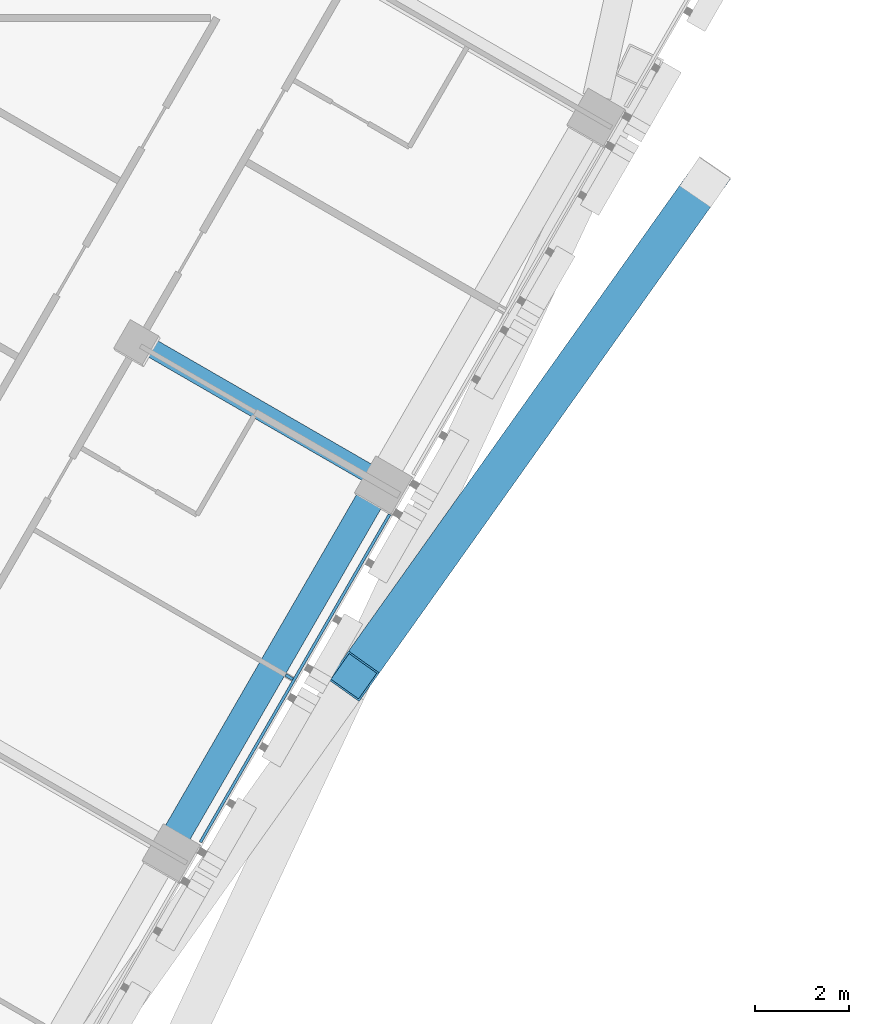
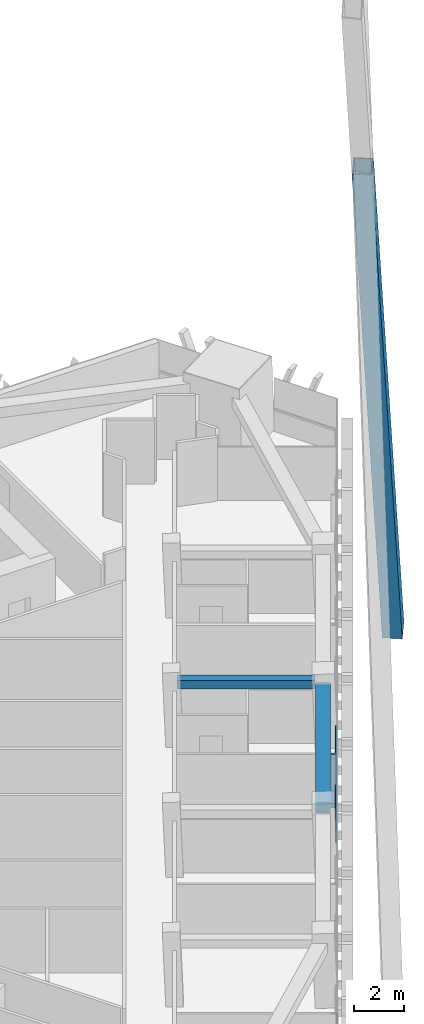
# One storey, part 9 of 23: 3 members, 2 beams, 1 element without a shape of its own.
"""IFC4 building model written with IfcOpenShell, lengths in metres."""

from ifc_helpers import new_model, si_unit, direction, frame, origin, origin_2d, place, context, subcontext, project, spatial, rectangle, hollow_rectangle, extrude, material, layer, layer_set, material_profile, profile_set, type_object, element, aggregate, save


model = new_model("IFC4")

# Units and contexts
model_context = context("Model", 3, precision=1e-05, world=origin(), true_north=direction((0.0, 1.0)))
body_context = subcontext(model_context, "Body", "Model", "MODEL_VIEW")
ifc_project = project(units=[si_unit("LENGTHUNIT", "METRE"), si_unit("AREAUNIT", "SQUARE_METRE"), si_unit("VOLUMEUNIT", "CUBIC_METRE"), si_unit("PLANEANGLEUNIT", "RADIAN"), si_unit("MASSUNIT", "GRAM", prefix="KILO")], contexts=[model_context])

# Site, building, storey
site_placement = place(None, origin())
site = spatial("IfcSite", under=ifc_project, at=site_placement, CompositionType="ELEMENT")
building_placement = place(site_placement, origin())
building = spatial("IfcBuilding", under=site, at=building_placement, Name="Altiplano Prism Tower", CompositionType="ELEMENT")
storey_placement = place(building_placement, frame((0.0, 0.0, 100.800048828125)))
storey = spatial("IfcBuildingStorey", under=building, at=storey_placement, Name="L25", CompositionType="ELEMENT", Elevation=100.800048828125)

# Curtain wall, members
ifc_material_1 = material(Name="Aluminium and glass", Category="aluminium")
ifc_layer = layer(ifc_material_1, 0.280029296875)
ifc_layer_set = layer_set([ifc_layer], Name="Aluminium and glass")
curtain_wall_type = type_object("IfcCurtainWallType", Name="CW1 typical co-living unitised curtain wall", PredefinedType="NOTDEFINED", material=ifc_layer_set)
curtain_wall_placement = place(storey_placement, origin())
curtain_wall = element("IfcCurtainWall", 1, at=curtain_wall_placement, inside=storey, type_object=curtain_wall_type, Name="CW1 curtain wall south-east face L25", PredefinedType="NOTDEFINED")
ifc_material_2 = material(Name="Aluminium", Category="aluminium")
ifc_material_profile_1 = material_profile(ifc_material_2, rectangle(XDim=0.179931640625, YDim=0.06494140625, at=origin_2d()), Name="CW1 mullion 65 x 180")
ifc_profile_set_1 = profile_set([ifc_material_profile_1], Name="Aluminium")
member_type_1 = type_object("IfcMemberType", Name="CW1 mullion 65 x 180", PredefinedType="MULLION", material=ifc_profile_set_1)
member_1_placement = place(storey_placement, frame((101.382080078125, 76.435302734375, 0.0), z_axis=(0.0, 0.0, 1.0), x_axis=(-0.866025402825, 0.500000001663, 0.0)))
member_1 = element("IfcMember", 2, at=member_1_placement, type_object=member_type_1, Name="CW1 mullion", PredefinedType="MULLION", context=body_context, shape_type="SweptSolid", body=[
    extrude(rectangle(XDim=0.179931640625, YDim=0.06494140625, at=origin_2d()), origin(), (0.0, 0.0, 1.0), 2.599853515625),
])
ifc_material_profile_2 = material_profile(ifc_material_2, rectangle(XDim=0.06005859375, YDim=0.080078125, at=origin_2d()), Name="CW1 transom 80 x 60")
ifc_profile_set_2 = profile_set([ifc_material_profile_2], Name="Aluminium")
member_type_2 = type_object("IfcMemberType", Name="CW1 transom 80 x 60", PredefinedType="USERDEFINED", material=ifc_profile_set_2)
member_2_placement = place(storey_placement, frame((99.5009765625, 72.9365234375, 1.099853515625), z_axis=(0.499972775009, 0.86604112157, 0.0), x_axis=(-0.86604112157, 0.499972775009, 0.0)))
member_2 = element("IfcMember", 3, at=member_2_placement, type_object=member_type_2, Name="CW1 transom", ObjectType="TRANSOM", PredefinedType="USERDEFINED", context=body_context, shape_type="SweptSolid", body=[
    extrude(rectangle(XDim=0.06005859375, YDim=0.080078125, at=origin_2d()), origin(), (0.0, 0.0, 1.0), 8.0205078125),
])
aggregate(curtain_wall, [member_1, member_2])

# Beam
ifc_material_3 = material(Name="Concrete C60/75", Category="concrete")
ifc_material_profile_3 = material_profile(ifc_material_3, rectangle(XDim=0.60009765625, YDim=0.5, at=origin_2d()), Name="Edge beam 600x500")
ifc_profile_set_3 = profile_set([ifc_material_profile_3], Name="Concrete C60/75")
beam_type_1 = type_object("IfcBeamType", Name="Edge beam 600x500", PredefinedType="SPANDREL", material=ifc_profile_set_3)
beam_1_placement = place(storey_placement, frame((98.991943359375, 73.092529296875, 2.849853515625), z_axis=(0.500014701701, 0.866016915587, 0.0), x_axis=(-0.866016915587, 0.500014701701, 0.0)))
element("IfcBeam", 4, at=beam_1_placement, inside=storey, type_object=beam_type_1, Name="Edge beam P22-P23 L26", PredefinedType="SPANDREL", context=body_context, shape_type="SweptSolid", body=[
    extrude(rectangle(XDim=0.60009765625, YDim=0.5, at=origin_2d()), origin(), (0.0, 0.0, 1.0), 8.340087890625),
])

# Member
ifc_material_4 = material(Name="Steel S355", Category="steel")
ifc_material_profile_4 = material_profile(ifc_material_4, hollow_rectangle(XDim=0.800048828125, YDim=0.800048828125, WallThickness=0.0400390625, at=origin_2d()), Name="Mega brace Box 800x800x40")
ifc_profile_set_4 = profile_set([ifc_material_profile_4], Name="Steel S355")
member_type_3 = type_object("IfcMemberType", Name="Mega brace Box 800x800x40", PredefinedType="BRACE", material=ifc_profile_set_4)
member_3_placement = place(storey_placement, frame((110.193359375, 86.919189453125, -0.81298828125), z_axis=(-0.218817847434, -0.307790897182, 0.925950059807), x_axis=(0.815024951692, -0.579425860762, 0.0)))
element("IfcMember", 5, at=member_3_placement, inside=storey, type_object=member_type_3, Name="Mega brace 3.2.3", PredefinedType="BRACE", context=body_context, shape_type="SweptSolid", body=[
    extrude(hollow_rectangle(XDim=0.800048828125, YDim=0.800048828125, WallThickness=0.0400390625, at=origin_2d()), origin(), (0.0, 0.0, 1.0), 34.006103515625),
])

# Beam
ifc_material_profile_5 = material_profile(ifc_material_3, rectangle(XDim=0.39990234375, YDim=0.39990234375, at=origin_2d()), Name="Tie beam 400x400")
ifc_profile_set_5 = profile_set([ifc_material_profile_5], Name="Concrete C60/75")
beam_type_2 = type_object("IfcBeamType", Name="Tie beam 400x400", PredefinedType="BEAM", material=ifc_profile_set_5)
beam_2_placement = place(storey_placement, frame((98.286865234375, 83.5107421875, 2.89990234375), z_axis=(0.866031549307, -0.499989355492, 0.0), x_axis=(0.499989355492, 0.866031549307, 0.0)))
element("IfcBeam", 6, at=beam_2_placement, inside=storey, type_object=beam_type_2, Name="Tie beam I23 L26", PredefinedType="BEAM", context=body_context, shape_type="SweptSolid", body=[
    extrude(rectangle(XDim=0.39990234375, YDim=0.39990234375, at=origin_2d()), origin(), (0.0, 0.0, 1.0), 5.48974609375),
])

save(model, "model.ifc")
